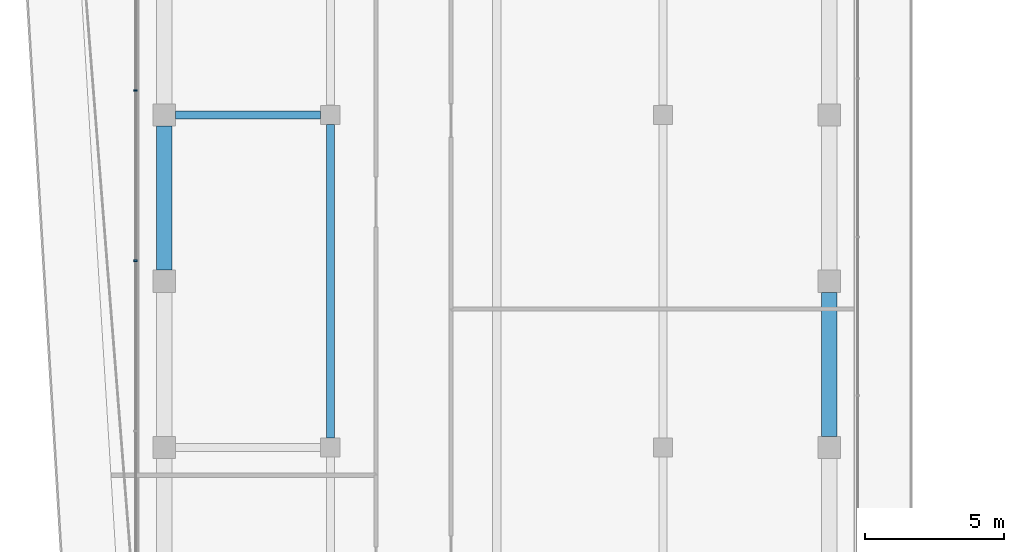
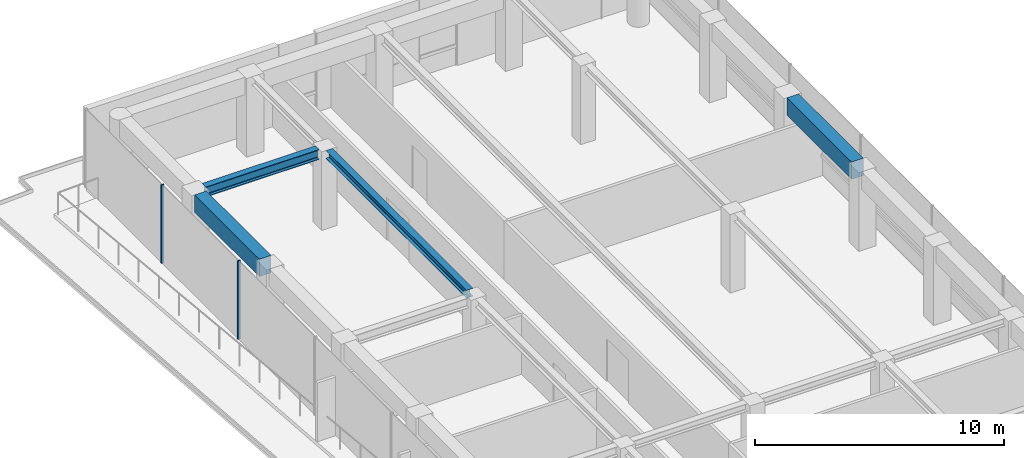
# One storey, part 12 of 21: 4 beams, 2 members, 1 element without a shape of its own.
"""IFC4 building model written with IfcOpenShell, lengths in metres."""

from ifc_helpers import new_model, si_unit, direction, frame, origin, origin_2d, place, context, subcontext, project, spatial, rectangle, i_section, extrude, material, layer, layer_set, material_profile, profile_set, type_object, element, aggregate, save


model = new_model("IFC4")

# Units and contexts
model_context = context("Model", 3, precision=1e-05, world=origin(), true_north=direction((0.0, 1.0)))
body_context = subcontext(model_context, "Body", "Model", "MODEL_VIEW")
ifc_project = project(units=[si_unit("LENGTHUNIT", "METRE"), si_unit("AREAUNIT", "SQUARE_METRE"), si_unit("VOLUMEUNIT", "CUBIC_METRE"), si_unit("PLANEANGLEUNIT", "RADIAN"), si_unit("MASSUNIT", "GRAM", prefix="KILO")], contexts=[model_context])

# Site, building, storey
site_placement = place(None, origin())
site = spatial("IfcSite", under=ifc_project, at=site_placement, CompositionType="ELEMENT")
building_placement = place(site_placement, origin())
building = spatial("IfcBuilding", under=site, at=building_placement, Name="Welwitschia Terrace Campus", CompositionType="ELEMENT")
storey_placement = place(building_placement, frame((0.0, 0.0, 213.800048828125)))
storey = spatial("IfcBuildingStorey", under=building, at=storey_placement, Name="L47", CompositionType="ELEMENT", Elevation=213.800048828125)

# Beam
ifc_material_1 = material(Name="Steel S355", Category="steel")
ifc_material_profile_1 = material_profile(ifc_material_1, i_section(OverallWidth=0.300048828125, OverallDepth=0.389892578125, WebThickness=0.010986328125, FlangeThickness=0.01904296875, FilletRadius=0.027099609375, at=origin_2d()))
ifc_profile_set_1 = profile_set([ifc_material_profile_1], Name="Steel S355")
beam_type_1 = type_object("IfcBeamType", Name="Interior girder HE 400 A", PredefinedType="BEAM", material=ifc_profile_set_1)
beam_1_placement = place(storey_placement, frame((6.0, 52.3505859375, 3.655029296875), z_axis=(0.0, 1.0, 0.0), x_axis=(-1.0, 0.0, 0.0)))
element("IfcBeam", 1, at=beam_1_placement, inside=storey, type_object=beam_type_1, Name="Girder GB5", PredefinedType="BEAM", context=body_context, shape_type="SweptSolid", body=[
    extrude(i_section(OverallWidth=0.300048828125, OverallDepth=0.389892578125, WebThickness=0.010986328125, FlangeThickness=0.01904296875, FilletRadius=0.027099609375, at=origin_2d()), origin(), (0.0, 0.0, 1.0), 11.298828125),
])

# Curtain wall, members
ifc_material_2 = material(Name="Bronze anodised aluminium", Category="aluminium")
ifc_layer = layer(ifc_material_2, 0.1201171875)
ifc_layer_set = layer_set([ifc_layer], Name="Bronze anodised aluminium")
curtain_wall_type = type_object("IfcCurtainWallType", Name="Curtain wall CW2 tower 6000", PredefinedType="NOTDEFINED", material=ifc_layer_set)
curtain_wall_placement = place(storey_placement, origin())
curtain_wall = element("IfcCurtainWall", 2, at=curtain_wall_placement, inside=storey, type_object=curtain_wall_type, Name="CW L47.8.0", PredefinedType="NOTDEFINED")
ifc_material_3 = material(Name="Bronze anodised aluminium", Category="aluminium")
ifc_material_profile_2 = material_profile(ifc_material_3, rectangle(XDim=0.1201171875, YDim=0.06005859375, at=origin_2d()))
ifc_profile_set_2 = profile_set([ifc_material_profile_2], Name="Bronze anodised aluminium")
member_type = type_object("IfcMemberType", Name="Mullion 60x120", PredefinedType="MULLION", material=ifc_profile_set_2)
member_1_placement = place(storey_placement, frame((-1.030029296875, 64.88427734375, 0.0), z_axis=(0.0, 0.0, 1.0), x_axis=(1.0, 0.0, 0.0)))
member_1 = element("IfcMember", 3, at=member_1_placement, type_object=member_type, Name="Mullion L47.8.0.1", PredefinedType="MULLION", context=body_context, shape_type="SweptSolid", body=[
    extrude(rectangle(XDim=0.1201171875, YDim=0.06005859375, at=origin_2d()), origin(), (0.0, 0.0, 1.0), 3.849853515625),
])
member_2_placement = place(storey_placement, frame((-1.030029296875, 58.73876953125, 0.0), z_axis=(0.0, 0.0, 1.0), x_axis=(1.0, 0.0, 0.0)))
member_2 = element("IfcMember", 4, at=member_2_placement, type_object=member_type, Name="Mullion L47.8.0.2", PredefinedType="MULLION", context=body_context, shape_type="SweptSolid", body=[
    extrude(rectangle(XDim=0.1201171875, YDim=0.06005859375, at=origin_2d()), origin(), (0.0, 0.0, 1.0), 3.849853515625),
])
aggregate(curtain_wall, [member_1, member_2])

# Beams
ifc_material_4 = material(Name="Steel S355", Category="steel")
ifc_material_profile_3 = material_profile(ifc_material_4, i_section(OverallWidth=0.300048828125, OverallDepth=0.489990234375, WebThickness=0.011962890625, FlangeThickness=0.02294921875, FilletRadius=0.027099609375, at=origin_2d()))
ifc_profile_set_3 = profile_set([ifc_material_profile_3], Name="Steel S355")
beam_type_2 = type_object("IfcBeamType", Name="Primary beam HE 500 A", PredefinedType="BEAM", material=ifc_profile_set_3)
beam_2_placement = place(storey_placement, frame((0.400390625, 64.0, 3.60498046875), z_axis=(1.0, 0.0, 0.0), x_axis=(0.0, 1.0, 0.0)))
element("IfcBeam", 5, at=beam_2_placement, inside=storey, type_object=beam_type_2, Name="Primary beam PB5", PredefinedType="BEAM", context=body_context, shape_type="SweptSolid", body=[
    extrude(i_section(OverallWidth=0.300048828125, OverallDepth=0.489990234375, WebThickness=0.011962890625, FlangeThickness=0.02294921875, FilletRadius=0.027099609375, at=origin_2d()), origin(), (0.0, 0.0, 1.0), 5.2490234375),
])
ifc_material_5 = material(Name="Concrete C50/60", Category="concrete")
ifc_material_profile_4 = material_profile(ifc_material_5, rectangle(XDim=0.550048828125, YDim=0.85009765625, at=origin_2d()))
ifc_profile_set_4 = profile_set([ifc_material_profile_4], Name="Concrete C50/60")
beam_type_3 = type_object("IfcBeamType", Name="Ring spandrel 550x850", PredefinedType="SPANDREL", material=ifc_profile_set_4)
for number, where, z_axis, x_axis, name in (
    (6, (24.0, 52.400390625, 3.425048828125), (0.0, 1.0, 0.0), (-1.0, 0.0, 0.0), "Spandrel SP3"),
    (7, (0.0, 63.599609375, 3.425048828125), (0.0, -1.0, 0.0), (1.0, 0.0, 0.0), "Spandrel SP3"),
):
    element("IfcBeam", number, at=place(storey_placement, frame(where, z_axis=z_axis, x_axis=x_axis)), inside=storey, type_object=beam_type_3, Name=name, PredefinedType="SPANDREL", context=body_context, shape_type="SweptSolid", body=[
        extrude(rectangle(XDim=0.550048828125, YDim=0.85009765625, at=origin_2d()), origin(), (0.0, 0.0, 1.0), 5.19921875),
    ])

save(model, "model.ifc")
